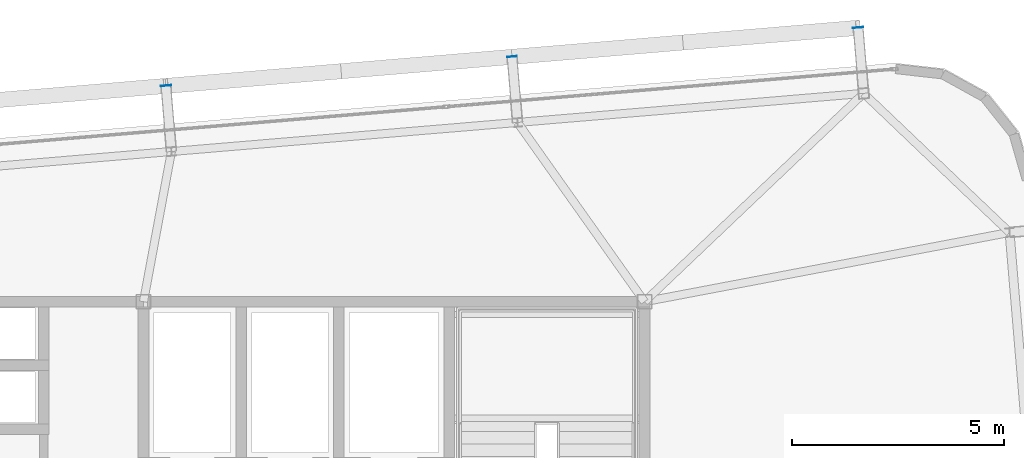
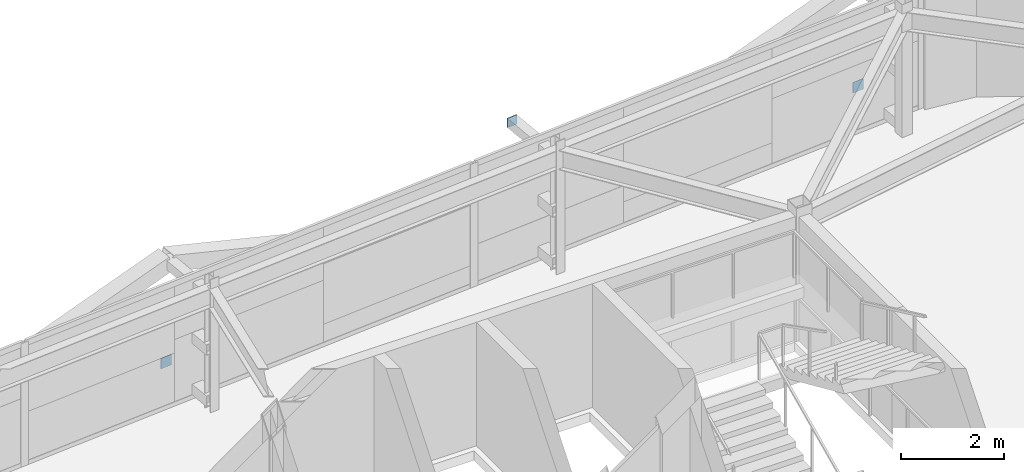
# One storey, part 33 of 39: 3 plates.
"""IFC4 building model written with IfcOpenShell, lengths in metres."""

from ifc_helpers import new_model, si_unit, direction, frame, origin, origin_2d, place, context, subcontext, project, spatial, rectangle, extrude, source, transform, mapped, material, layer, layer_set, type_object, element, save


model = new_model("IFC4")

# Units and contexts
model_context = context("Model", 3, precision=1e-05, world=origin(), true_north=direction((0.0, 1.0)))
body_context = subcontext(model_context, "Body", "Model", "MODEL_VIEW")
ifc_project = project(units=[si_unit("LENGTHUNIT", "METRE"), si_unit("AREAUNIT", "SQUARE_METRE"), si_unit("VOLUMEUNIT", "CUBIC_METRE"), si_unit("PLANEANGLEUNIT", "RADIAN"), si_unit("MASSUNIT", "GRAM", prefix="KILO")], contexts=[model_context])

# Site, building, storey
site_placement = place(None, origin())
site = spatial("IfcSite", under=ifc_project, at=site_placement, CompositionType="ELEMENT")
building_placement = place(site_placement, origin())
building = spatial("IfcBuilding", under=site, at=building_placement, Name="Taldren Reach Tower", CompositionType="ELEMENT")
storey_placement = place(building_placement, frame((0.0, 0.0, 178.85009765625)))
storey = spatial("IfcBuildingStorey", under=building, at=storey_placement, Name="L54", CompositionType="ELEMENT", Elevation=178.85009765625)

# Plates
ifc_material_1 = material(Name="Steel Gr 350 (C350L0)", Category="steel")
ifc_layer_1 = layer(ifc_material_1, 0.011962890625)
ifc_layer_set_1 = layer_set([ifc_layer_1], Name="Steel Gr 350 (C350L0)")
plate_type_1 = type_object("IfcPlateType", Name="PL-CAP-250", PredefinedType="SHEET", material=ifc_layer_set_1)
shared_shape_1 = source(origin(), body_context, "Body", "SweptSolid", [
    extrude(rectangle(XDim=0.25, YDim=0.011962890625, at=origin_2d()), origin(), (0.0, 0.0, 1.0), 0.25),
])
for number, where, z_axis, x_axis, name in (
    (1, (39.7275390625, 37.087646484375, 0.094970703125), (0.0, 0.0, 1.0), (0.99649285925, 0.083677843332, 0.0), "Tie strut end cap plate B4-N4 L54"),
    (2, (56.030029296875, 38.45654296875, 0.094970703125), (0.0, 0.0, 1.0), (0.99649285925, 0.083677843332, 0.0), "Tie strut end cap plate B4-N6 L54"),
):
    element("IfcPlate", number, at=place(storey_placement, frame(where, z_axis=z_axis, x_axis=x_axis)), inside=storey, type_object=plate_type_1, Name=name, PredefinedType="SHEET", context=body_context, shape_type="MappedRepresentation", body=[
        mapped(shared_shape_1, transform((0.0, 0.0, 0.0), scale=1.0)),
    ])
ifc_material_2 = material(Name="Steel Gr 450 (C450L0)", Category="steel")
ifc_layer_2 = layer(ifc_material_2, 0.011962890625)
ifc_layer_set_2 = layer_set([ifc_layer_2], Name="Steel Gr 450 (C450L0)")
plate_type_2 = type_object("IfcPlateType", Name="PL-CAP-220", PredefinedType="SHEET", material=ifc_layer_set_2)
shared_shape_2 = source(origin(), body_context, "Body", "SweptSolid", [
    extrude(rectangle(XDim=0.219970703125, YDim=0.011962890625, at=origin_2d()), origin(), (0.0, 0.0, 1.0), 0.219970703125),
])
plate_placement = place(storey_placement, frame((47.87890625, 37.77197265625, 2.5400390625), z_axis=(0.0, 0.0, 1.0), x_axis=(0.99649285925, 0.083677843332, 0.0)))
element("IfcPlate", 3, at=plate_placement, inside=storey, type_object=plate_type_2, Name="Tie strut end cap plate B4-N5 L54", PredefinedType="SHEET", context=body_context, shape_type="MappedRepresentation", body=[
    mapped(shared_shape_2, transform((0.0, 0.0, 0.0), scale=1.0)),
])

save(model, "model.ifc")
